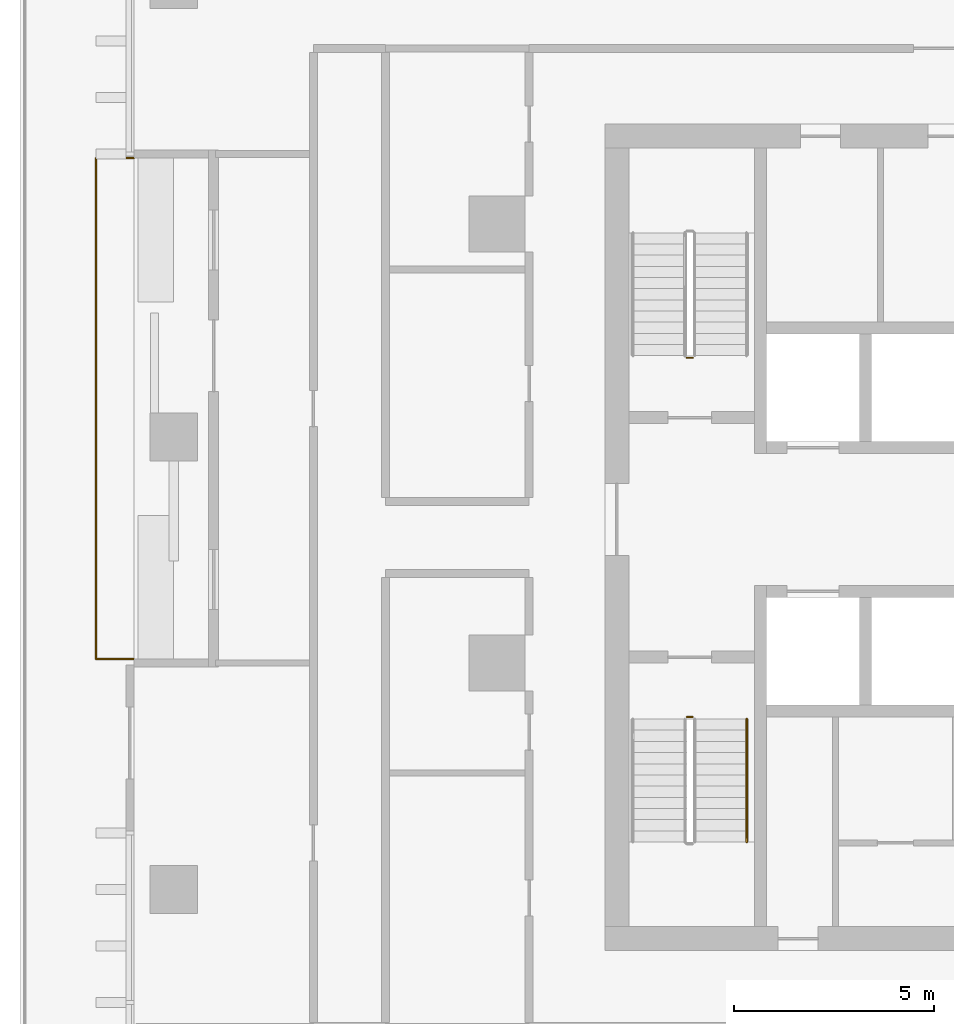
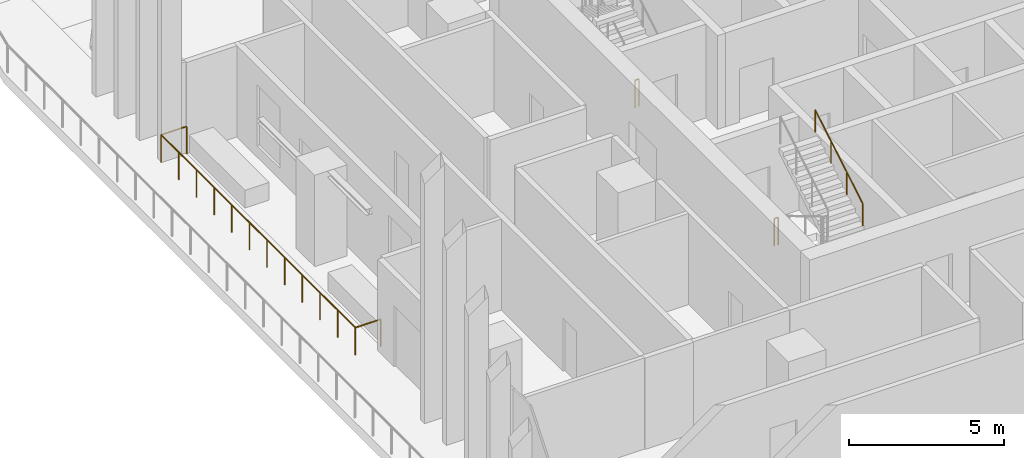
# One storey, part 13 of 16: 4 railings.
"""IFC4 building model written with IfcOpenShell, lengths in metres."""

from ifc_helpers import new_model, si_unit, direction, frame, origin, origin_2d, place, context, subcontext, project, spatial, circle, extrude, material, type_object, element, save


model = new_model("IFC4")

# Units and contexts
model_context = context("Model", 3, precision=1e-05, world=origin(), true_north=direction((0.0, 1.0)))
body_context = subcontext(model_context, "Body", "Model", "MODEL_VIEW")
ifc_project = project(units=[si_unit("LENGTHUNIT", "METRE"), si_unit("AREAUNIT", "SQUARE_METRE"), si_unit("VOLUMEUNIT", "CUBIC_METRE"), si_unit("PLANEANGLEUNIT", "RADIAN"), si_unit("MASSUNIT", "GRAM", prefix="KILO")], contexts=[model_context])

# Site, building, storey
site_placement = place(None, origin())
site = spatial("IfcSite", under=ifc_project, at=site_placement, CompositionType="ELEMENT")
building_placement = place(site_placement, origin())
building = spatial("IfcBuilding", under=site, at=building_placement, Name="Mopane Tessera Tower", CompositionType="ELEMENT")
storey_placement = place(building_placement, frame((0.0, 0.0, 157.0)))
storey = spatial("IfcBuildingStorey", under=building, at=storey_placement, Name="L31", CompositionType="ELEMENT", Elevation=157.0)

# Railings
ifc_material_1 = material(Name="Powder-coated steel balustrade", Category="steel")
railing_type_1 = type_object("IfcRailingType", Name="Escape stair guard 1100 mm", PredefinedType="GUARDRAIL", material=ifc_material_1)
railing_1_placement = place(storey_placement, frame((-12.35009765625, -1.35009765625, 0.0)))
element("IfcRailing", 1, at=railing_1_placement, inside=storey, type_object=railing_type_1, Name="L31 ST1 stair guard 3", PredefinedType="GUARDRAIL", context=body_context, shape_type="SweptSolid", body=[
    extrude(circle(Radius=0.02392578125, at=origin_2d()), frame((0.0, 0.0, 1.076171875), z_axis=(1.0, 0.0, 0.0), x_axis=(0.0, 1.0, 0.0)), (0.0, 0.0, 1.0), 0.150146484375),
    extrude(circle(Radius=0.02099609375, at=origin_2d()), origin(), (0.0, 0.0, 1.0), 1.052001953125),
    extrude(circle(Radius=0.02099609375, at=origin_2d()), frame((0.150146484375, 0.0, 0.0)), (0.0, 0.0, 1.0), 1.052001953125),
])
railing_2_placement = place(storey_placement, frame((-12.199951171875, 7.64990234375, 0.0)))
element("IfcRailing", 2, at=railing_2_placement, inside=storey, type_object=railing_type_1, Name="L31 ST2 stair guard 3", PredefinedType="GUARDRAIL", context=body_context, shape_type="SweptSolid", body=[
    extrude(circle(Radius=0.02392578125, at=origin_2d()), frame((0.0, 0.0, 1.076171875), z_axis=(-1.0, 0.0, 0.0), x_axis=(0.0, -1.0, 0.0)), (0.0, 0.0, 1.0), 0.150146484375),
    extrude(circle(Radius=0.02099609375, at=origin_2d()), origin(), (0.0, 0.0, 1.0), 1.052001953125),
    extrude(circle(Radius=0.02099609375, at=origin_2d()), frame((-0.150146484375, 0.0, 0.0)), (0.0, 0.0, 1.0), 1.052001953125),
])
ifc_material_2 = material(Name="Powder-coated steel balustrade", Category="steel")
railing_type_2 = type_object("IfcRailingType", Name="Escape stair handrail 900 mm", PredefinedType="HANDRAIL", material=ifc_material_2)
railing_3_placement = place(storey_placement, frame((-10.85009765625, -4.47998046875, 2.166748046875)))
element("IfcRailing", 3, at=railing_3_placement, inside=storey, type_object=railing_type_2, Name="L31 ST1 stair handrail 2", PredefinedType="HANDRAIL", context=body_context, shape_type="SweptSolid", body=[
    extrude(circle(Radius=0.02392578125, at=origin_2d()), frame((0.0, 0.0, 0.8759765625), z_axis=(0.0, 0.859308565015, 0.511457515432), x_axis=(-1.0, 0.0, 0.0)), (0.0, 0.0, 1.0), 3.58447265625),
    extrude(circle(Radius=0.02099609375, at=origin_2d()), origin(), (0.0, 0.0, 1.0), 0.851806640625),
    extrude(circle(Radius=0.02099609375, at=origin_2d()), frame((0.0, 1.026611328125, 0.611083984375)), (0.0, 0.0, 1.0), 0.851806640625),
    extrude(circle(Radius=0.02099609375, at=origin_2d()), frame((0.0, 2.053466796875, 1.22216796875)), (0.0, 0.0, 1.0), 0.851806640625),
    extrude(circle(Radius=0.02099609375, at=origin_2d()), frame((0.0, 3.080078125, 1.833251953125)), (0.0, 0.0, 1.0), 0.851806640625),
])
ifc_material_3 = material(Name="Stainless steel S316", Category="steel")
railing_type_3 = type_object("IfcRailingType", Name="Terrace guard 1100", PredefinedType="GUARDRAIL", material=ifc_material_3)
railing_4_placement = place(storey_placement, frame((-26.199951171875, 12.64990234375, 0.0)))
element("IfcRailing", 4, at=railing_4_placement, inside=storey, type_object=railing_type_3, Name="e:nw:L31:N1:guard", PredefinedType="GUARDRAIL", context=body_context, shape_type="SweptSolid", body=[
    extrude(circle(Radius=0.02392578125, at=origin_2d()), frame((0.0, 0.0, 1.076171875), z_axis=(-1.0, 0.0, 0.0), x_axis=(0.0, -1.0, 0.0)), (0.0, 0.0, 1.0), 0.949951171875),
    extrude(circle(Radius=0.02392578125, at=origin_2d()), frame((-0.949951171875, 0.0, 1.076171875), z_axis=(0.0, -1.0, 0.0), x_axis=(1.0, 0.0, 0.0)), (0.0, 0.0, 1.0), 12.5498046875),
    extrude(circle(Radius=0.02392578125, at=origin_2d()), frame((-0.949951171875, -12.5498046875, 1.076171875), z_axis=(1.0, 0.0, 0.0), x_axis=(0.0, 1.0, 0.0)), (0.0, 0.0, 1.0), 0.949951171875),
    extrude(circle(Radius=0.02099609375, at=origin_2d()), origin(), (0.0, 0.0, 1.0), 1.052001953125),
    extrude(circle(Radius=0.02099609375, at=origin_2d()), frame((-0.949951171875, 0.0, 0.0)), (0.0, 0.0, 1.0), 1.052001953125),
    extrude(circle(Radius=0.02099609375, at=origin_2d()), frame((-0.949951171875, -1.140869140625, 0.0)), (0.0, 0.0, 1.0), 1.052001953125),
    extrude(circle(Radius=0.02099609375, at=origin_2d()), frame((-0.949951171875, -2.28173828125, 0.0)), (0.0, 0.0, 1.0), 1.052001953125),
    extrude(circle(Radius=0.02099609375, at=origin_2d()), frame((-0.949951171875, -3.422607421875, 0.0)), (0.0, 0.0, 1.0), 1.052001953125),
    extrude(circle(Radius=0.02099609375, at=origin_2d()), frame((-0.949951171875, -4.5634765625, 0.0)), (0.0, 0.0, 1.0), 1.052001953125),
    extrude(circle(Radius=0.02099609375, at=origin_2d()), frame((-0.949951171875, -5.704345703125, 0.0)), (0.0, 0.0, 1.0), 1.052001953125),
    extrude(circle(Radius=0.02099609375, at=origin_2d()), frame((-0.949951171875, -6.845458984375, 0.0)), (0.0, 0.0, 1.0), 1.052001953125),
    extrude(circle(Radius=0.02099609375, at=origin_2d()), frame((-0.949951171875, -7.986328125, 0.0)), (0.0, 0.0, 1.0), 1.052001953125),
    extrude(circle(Radius=0.02099609375, at=origin_2d()), frame((-0.949951171875, -9.127197265625, 0.0)), (0.0, 0.0, 1.0), 1.052001953125),
    extrude(circle(Radius=0.02099609375, at=origin_2d()), frame((-0.949951171875, -10.26806640625, 0.0)), (0.0, 0.0, 1.0), 1.052001953125),
    extrude(circle(Radius=0.02099609375, at=origin_2d()), frame((-0.949951171875, -11.408935546875, 0.0)), (0.0, 0.0, 1.0), 1.052001953125),
    extrude(circle(Radius=0.02099609375, at=origin_2d()), frame((-0.949951171875, -12.5498046875, 0.0)), (0.0, 0.0, 1.0), 1.052001953125),
    extrude(circle(Radius=0.02099609375, at=origin_2d()), frame((0.0, -12.5498046875, 0.0)), (0.0, 0.0, 1.0), 1.052001953125),
])

save(model, "model.ifc")
